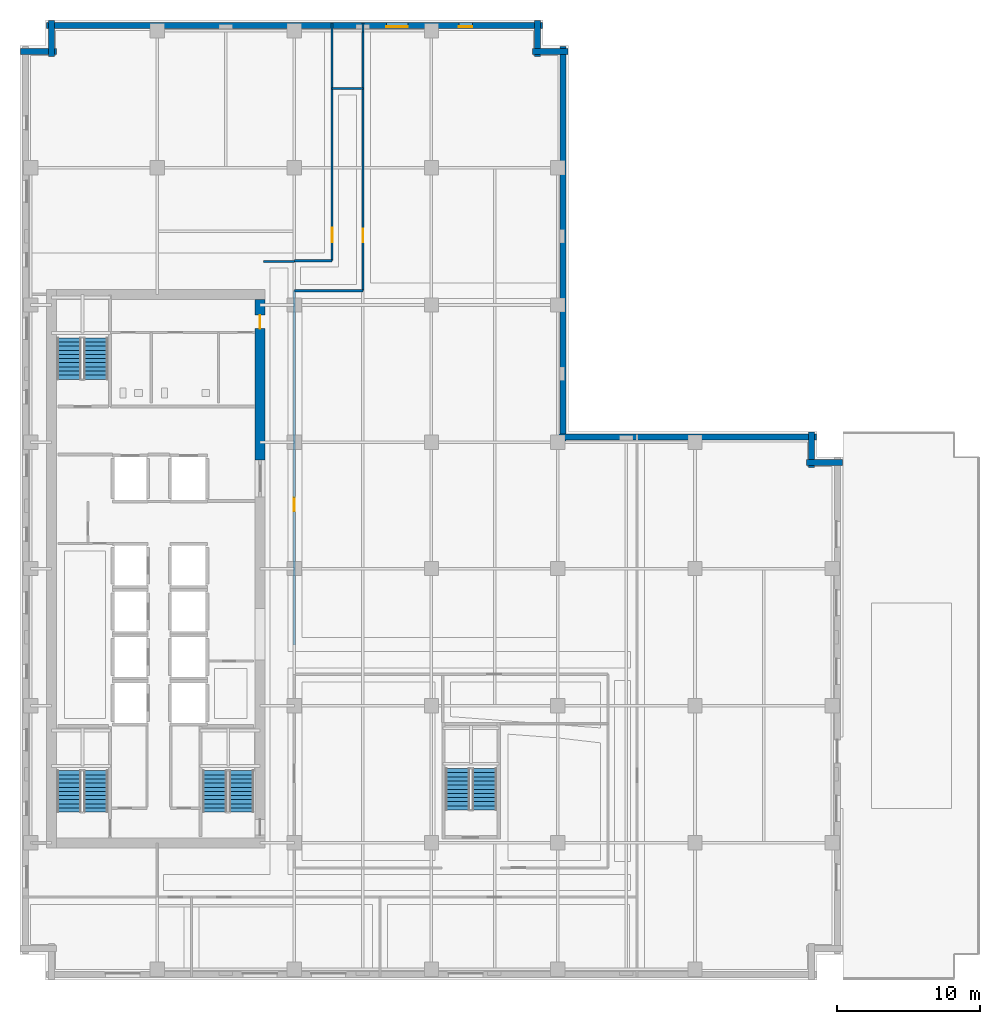
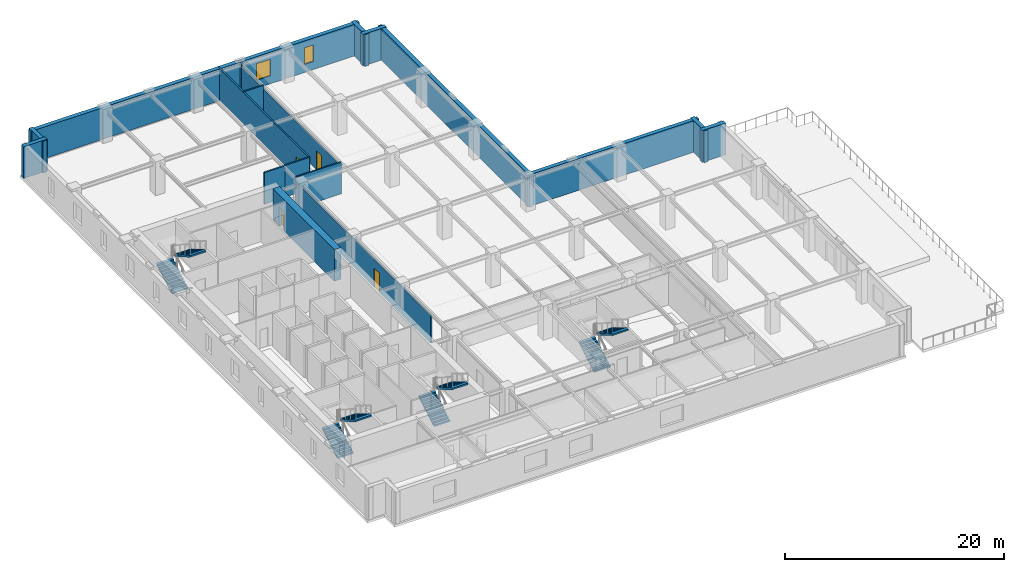
# One storey, part 7 of 12: 18 walls, 8 stair flights, 4 doors, 2 windows, 6 openings, 4 elements without a shape of their own.
"""IFC4 building model written with IfcOpenShell, lengths in metres."""

from ifc_helpers import new_model, si_unit, direction, frame, frame_2d, origin, place, context, subcontext, project, spatial, polyline, rectangle, outline, extrude, material, layer, layer_set, type_object, element, fill, aggregate, save


model = new_model("IFC4")

# Units and contexts
model_context = context("Model", 3, precision=1e-05, world=origin(), true_north=direction((0.0, 1.0)))
body_context = subcontext(model_context, "Body", "Model", "MODEL_VIEW")
ifc_project = project(units=[si_unit("LENGTHUNIT", "METRE"), si_unit("AREAUNIT", "SQUARE_METRE"), si_unit("VOLUMEUNIT", "CUBIC_METRE"), si_unit("PLANEANGLEUNIT", "RADIAN"), si_unit("MASSUNIT", "GRAM", prefix="KILO")], contexts=[model_context])

# Site, building, storey
site_placement = place(None, origin())
site = spatial("IfcSite", under=ifc_project, at=site_placement, CompositionType="ELEMENT")
building_placement = place(site_placement, origin())
building = spatial("IfcBuilding", under=site, at=building_placement, Name="Norrvale University Quadrangle", CompositionType="ELEMENT")
storey_placement = place(building_placement, frame((0.0, 0.0, 101.39990234375)))
storey = spatial("IfcBuildingStorey", under=building, at=storey_placement, Name="L25", CompositionType="ELEMENT", Elevation=101.39990234375)

# Walls
ifc_material_1 = material(Name="Buff Norman Clay Brick Masonry", Category="masonry")
ifc_layer_1 = layer(ifc_material_1, 0.419921875, Name="Buff Norman Clay Brick Masonry")
ifc_layer_set_1 = layer_set([ifc_layer_1], Name="Buff Norman Clay Brick Masonry")
wall_type_1 = type_object("IfcWallType", Name="Wall Buff Brick 420", PredefinedType="SOLIDWALL", material=ifc_layer_set_1)
for number, where, z_axis, x_axis, name in (
    (1, (57.56005859375, 36.2099609375, 0.0), (0.0, 0.0, 1.0), (-1.0, 0.0, 0.0), "Exterior Brick Facade Wall L25-05.1"),
    (2, (55.409912109375, 35.860107421875, 0.0), (0.0, 0.0, 1.0), (0.0, 1.0, 0.0), "Exterior Brick Facade Wall L25-06.1"),
):
    element("IfcWall", number, at=place(storey_placement, frame(where, z_axis=z_axis, x_axis=x_axis)), inside=storey, type_object=wall_type_1, Name=name, PredefinedType="SOLIDWALL", context=body_context, shape_type="SweptSolid", body=[
        extrude(rectangle(XDim=2.5, YDim=0.419921875, at=frame_2d((1.25, 0.0))), origin(), (0.0, 0.0, 1.0), 3.5400390625),
    ])
wall_1_placement = place(storey_placement, frame((55.760009765625, 38.010009765625, 0.0), z_axis=(0.0, 0.0, 1.0), x_axis=(-1.0, 0.0, 0.0)))
element("IfcWall", 3, at=wall_1_placement, inside=storey, type_object=wall_type_1, Name="Exterior Brick Facade Wall L25-07.1", PredefinedType="SOLIDWALL", context=body_context, shape_type="SweptSolid", body=[
    extrude(rectangle(XDim=18.10009765625, YDim=0.419921875, at=frame_2d((9.050048828125, 0.0))), origin(), (0.0, 0.0, 1.0), 3.5400390625),
])
wall_2_placement = place(storey_placement, frame((38.010009765625, 37.659912109375, 0.0), z_axis=(0.0, 0.0, 1.0), x_axis=(0.0, 1.0, 0.0)))
element("IfcWall", 4, at=wall_2_placement, inside=storey, type_object=wall_type_1, Name="Exterior Brick Facade Wall L25-08.1", PredefinedType="SOLIDWALL", context=body_context, shape_type="SweptSolid", body=[
    extrude(rectangle(XDim=27.7001953125, YDim=0.419921875, at=frame_2d((13.85009765625, 0.0))), origin(), (0.0, 0.0, 1.0), 3.5400390625),
])
for number, where, z_axis, x_axis, name in (
    (5, (38.360107421875, 65.010009765625, 0.0), (0.0, 0.0, 1.0), (-1.0, 0.0, 0.0), "Exterior Brick Facade Wall L25-09.1"),
    (6, (36.2099609375, 64.659912109375, 0.0), (0.0, 0.0, 1.0), (0.0, 1.0, 0.0), "Exterior Brick Facade Wall L25-10.1"),
):
    element("IfcWall", number, at=place(storey_placement, frame(where, z_axis=z_axis, x_axis=x_axis)), inside=storey, type_object=wall_type_1, Name=name, PredefinedType="SOLIDWALL", context=body_context, shape_type="SweptSolid", body=[
        extrude(rectangle(XDim=2.5, YDim=0.419921875, at=frame_2d((1.25, 0.0))), origin(), (0.0, 0.0, 1.0), 3.5400390625),
    ])

# Wall, openings, windows
wall_3_placement = place(storey_placement, frame((36.56005859375, 66.81005859375, 0.0), z_axis=(0.0, 0.0, 1.0), x_axis=(-1.0, 0.0, 0.0)))
wall_3 = element("IfcWall", 7, at=wall_3_placement, inside=storey, type_object=wall_type_1, Name="Exterior Brick Facade Wall L25-11.1", PredefinedType="SOLIDWALL", context=body_context, shape_type="SweptSolid", body=[
    extrude(rectangle(XDim=34.719970703125, YDim=0.419921875, at=frame_2d((17.35986328125, 0.0))), origin(), (0.0, 0.0, 1.0), 3.5400390625),
])
opening_1_placement = place(wall_3_placement, frame((4.885009765625, 0.0, 0.89990234375)))
opening_1 = element("IfcOpeningElement", 8, at=opening_1_placement, cuts=wall_3, Name="Opening W04", PredefinedType="OPENING", context=body_context, shape_type="SweptSolid", body=[
    extrude(rectangle(XDim=0.949951171875, YDim=1.85009765625, at=frame_2d((0.47509765625, 0.925048828125))), frame((0.0, 0.221923828125, 0.0), z_axis=(0.0, -1.0, 0.0), x_axis=(1.0, 0.0, 0.0)), (0.0, 0.0, 1.0), 0.44384765625),
])
opening_2_placement = place(wall_3_placement, frame((9.409912109375, 0.0, 0.89990234375)))
opening_2 = element("IfcOpeningElement", 9, at=opening_2_placement, cuts=wall_3, Name="Opening W03", PredefinedType="OPENING", context=body_context, shape_type="SweptSolid", body=[
    extrude(rectangle(XDim=1.5, YDim=1.85009765625, at=frame_2d((0.75, 0.925048828125))), frame((0.0, 0.221923828125, 0.0), z_axis=(0.0, -1.0, 0.0), x_axis=(1.0, 0.0, 0.0)), (0.0, 0.0, 1.0), 0.44384765625),
])
ifc_material_2 = material(Name="Triple Low-E Argon Glazing", Category="glass")
window_type_1 = type_object("IfcWindowType", Name="Window Narrow Pier 950x2300", PartitioningType="SINGLE_PANEL", PredefinedType="WINDOW", material=ifc_material_2)
window_1_placement = place(opening_1_placement, origin())
window_1 = element("IfcWindow", 10, at=window_1_placement, inside=storey, type_object=window_type_1, Name="Window Narrow Pier 950x2300 WIN-L25-E11-1-01", OverallHeight=1.85009765625, OverallWidth=0.949951171875, PartitioningType="SINGLE_PANEL", PredefinedType="WINDOW", context=body_context, shape_type="SweptSolid", body=[
    extrude(rectangle(XDim=0.949951171875, YDim=1.85009765625, at=frame_2d((0.47509765625, 0.925048828125))), frame((0.0, 0.110107421875, 0.0), z_axis=(0.0, -1.0, 0.0), x_axis=(1.0, 0.0, 0.0)), (0.0, 0.0, 1.0), 0.06005859375),
])
fill(opening_1, window_1)
window_type_2 = type_object("IfcWindowType", Name="Window Studio 1500x2300", PartitioningType="DOUBLE_PANEL_VERTICAL", PredefinedType="WINDOW", material=ifc_material_2)
window_2_placement = place(opening_2_placement, origin())
window_2 = element("IfcWindow", 11, at=window_2_placement, inside=storey, type_object=window_type_2, Name="Window Studio 1500x2300 WIN-L25-E11-1-02", OverallHeight=1.85009765625, OverallWidth=1.5, PartitioningType="DOUBLE_PANEL_VERTICAL", PredefinedType="WINDOW", context=body_context, shape_type="SweptSolid", body=[
    extrude(rectangle(XDim=1.5, YDim=1.85009765625, at=frame_2d((0.75, 0.925048828125))), frame((0.0, 0.110107421875, 0.0), z_axis=(0.0, -1.0, 0.0), x_axis=(1.0, 0.0, 0.0)), (0.0, 0.0, 1.0), 0.06005859375),
])
fill(opening_2, window_2)

# Walls
for number, where, z_axis, x_axis, name in (
    (12, (2.18994140625, 67.159912109375, 0.0), (0.0, 0.0, 1.0), (0.0, -1.0, 0.0), "Exterior Brick Facade Wall L25-12.1"),
    (13, (2.5400390625, 65.010009765625, 0.0), (0.0, 0.0, 1.0), (-1.0, 0.0, 0.0), "Exterior Brick Facade Wall L25-13.1"),
):
    element("IfcWall", number, at=place(storey_placement, frame(where, z_axis=z_axis, x_axis=x_axis)), inside=storey, type_object=wall_type_1, Name=name, PredefinedType="SOLIDWALL", context=body_context, shape_type="SweptSolid", body=[
        extrude(rectangle(XDim=2.5, YDim=0.419921875, at=frame_2d((1.25, 0.0))), origin(), (0.0, 0.0, 1.0), 3.5400390625),
    ])

# Wall, opening, door
ifc_material_3 = material(Name="Concrete C60/75", Category="concrete")
ifc_layer_2 = layer(ifc_material_3, 0.699951171875, Name="Concrete C60/75")
ifc_layer_set_2 = layer_set([ifc_layer_2], Name="Concrete C60/75")
wall_type_2 = type_object("IfcWallType", Name="Wall Core 700", PredefinedType="SHEAR", material=ifc_layer_set_2)
wall_4_placement = place(storey_placement, frame((16.800048828125, 36.39990234375, 0.0), z_axis=(0.0, 0.0, 1.0), x_axis=(0.0, 1.0, 0.0)))
wall_4 = element("IfcWall", 14, at=wall_4_placement, inside=storey, type_object=wall_type_2, Name="Tower Core Shear Wall L25-E3", PredefinedType="SHEAR", context=body_context, shape_type="SweptSolid", body=[
    extrude(rectangle(XDim=11.25, YDim=0.699951171875, at=frame_2d((5.625, 0.0))), origin(), (0.0, 0.0, 1.0), 3.5400390625),
])
opening_3_placement = place(wall_4_placement, frame((9.199951171875, 0.0, 0.0)))
opening_3 = element("IfcOpeningElement", 15, at=opening_3_placement, cuts=wall_4, Name="Opening D07", PredefinedType="OPENING", context=body_context, shape_type="SweptSolid", body=[
    extrude(rectangle(XDim=0.949951171875, YDim=2.14990234375, at=frame_2d((0.47509765625, 1.074951171875))), frame((0.0, 0.362060546875, 0.0), z_axis=(0.0, -1.0, 0.0), x_axis=(1.0, 0.0, 0.0)), (0.0, 0.0, 1.0), 0.723876953125),
])
ifc_material_4 = material(Name="Solid-Core Maple Door", Category="wood")
door_type_1 = type_object("IfcDoorType", Name="Door Office 950x2150", OperationType="NOTDEFINED", PredefinedType="DOOR", material=ifc_material_4)
door_1_placement = place(opening_3_placement, origin())
door_1 = element("IfcDoor", 16, at=door_1_placement, inside=storey, type_object=door_type_1, Name="Door Office 950x2150 DR-L25-NECORR", OperationType="SINGLE_SWING_RIGHT", OverallHeight=2.14990234375, OverallWidth=0.949951171875, PredefinedType="DOOR", context=body_context, shape_type="SweptSolid", body=[
    extrude(rectangle(XDim=0.949951171875, YDim=2.14990234375, at=frame_2d((0.47509765625, 1.074951171875))), frame((0.0, 0.02490234375, 0.0), z_axis=(0.0, -1.0, 0.0), x_axis=(1.0, 0.0, 0.0)), (0.0, 0.0, 1.0), 0.050048828125),
])
fill(opening_3, door_1)

# Wall
ifc_material_5 = material(Name="Fire-Rated Gypsum Stud Partition")
ifc_layer_3 = layer(ifc_material_5, 0.14990234375, Name="Fire-Rated Gypsum Stud Partition")
ifc_layer_set_3 = layer_set([ifc_layer_3], Name="Fire-Rated Gypsum Stud Partition")
wall_type_3 = type_object("IfcWallType", Name="Wall Gypsum Corridor 150", PredefinedType="PARTITIONING", material=ifc_layer_set_3)
wall_5_placement = place(storey_placement, frame((17.050048828125, 50.300048828125, 0.0), z_axis=(0.0, 0.0, 1.0), x_axis=(1.0, 0.0, 0.0)))
element("IfcWall", 17, at=wall_5_placement, inside=storey, type_object=wall_type_3, Name="Interior Partition WL-L25-CN-END", PredefinedType="PARTITIONING", context=body_context, shape_type="SweptSolid", body=[
    extrude(rectangle(XDim=2.14990234375, YDim=0.14990234375, at=frame_2d((1.074951171875, 0.0))), origin(), (0.0, 0.0, 1.0), 3.5400390625),
])

# Wall, opening, door
wall_6_placement = place(storey_placement, frame((19.199951171875, 23.449951171875, 0.0), z_axis=(0.0, 0.0, 1.0), x_axis=(0.0, 1.0, 0.0)))
wall_6 = element("IfcWall", 18, at=wall_6_placement, inside=storey, type_object=wall_type_3, Name="Interior Partition WL-L25-MNECW", PredefinedType="PARTITIONING", context=body_context, shape_type="SweptSolid", body=[
    extrude(rectangle(XDim=24.800048828125, YDim=0.14990234375, at=frame_2d((12.39990234375, 0.0))), origin(), (0.0, 0.0, 1.0), 3.123046875),
])
opening_4_placement = place(wall_6_placement, frame((9.35009765625, 0.0, 0.0)))
opening_4 = element("IfcOpeningElement", 19, at=opening_4_placement, cuts=wall_6, Name="Opening D07", PredefinedType="OPENING", context=body_context, shape_type="SweptSolid", body=[
    extrude(rectangle(XDim=0.949951171875, YDim=2.14990234375, at=frame_2d((0.47509765625, 1.074951171875))), frame((0.0, 0.0869140625, 0.0), z_axis=(0.0, -1.0, 0.0), x_axis=(1.0, 0.0, 0.0)), (0.0, 0.0, 1.0), 0.173828125),
])
door_2_placement = place(opening_4_placement, origin())
door_2 = element("IfcDoor", 20, at=door_2_placement, inside=storey, type_object=door_type_1, Name="Door Office 950x2150 DR-L25-MNE01", OperationType="SINGLE_SWING_RIGHT", OverallHeight=2.14990234375, OverallWidth=0.949951171875, PredefinedType="DOOR", context=body_context, shape_type="SweptSolid", body=[
    extrude(rectangle(XDim=0.949951171875, YDim=2.14990234375, at=frame_2d((0.47509765625, 1.074951171875))), frame((0.0, 0.02490234375, 0.0), z_axis=(0.0, -1.0, 0.0), x_axis=(1.0, 0.0, 0.0)), (0.0, 0.0, 1.0), 0.050048828125),
])
fill(opening_4, door_2)

# Walls
wall_7_placement = place(storey_placement, frame((19.199951171875, 48.25, 0.0), z_axis=(0.0, 0.0, 1.0), x_axis=(1.0, 0.0, 0.0)))
element("IfcWall", 21, at=wall_7_placement, inside=storey, type_object=wall_type_3, Name="Interior Partition WL-L25-JOGS", PredefinedType="PARTITIONING", context=body_context, shape_type="SweptSolid", body=[
    extrude(rectangle(XDim=4.800048828125, YDim=0.14990234375, at=frame_2d((2.39990234375, 0.0))), origin(), (0.0, 0.0, 1.0), 3.5400390625),
])
wall_8_placement = place(storey_placement, frame((19.199951171875, 50.35009765625, 0.0), z_axis=(0.0, 0.0, 1.0), x_axis=(1.0, 0.0, 0.0)))
element("IfcWall", 22, at=wall_8_placement, inside=storey, type_object=wall_type_3, Name="Interior Partition WL-L25-JOGN", PredefinedType="PARTITIONING", context=body_context, shape_type="SweptSolid", body=[
    extrude(rectangle(XDim=2.650146484375, YDim=0.14990234375, at=frame_2d((1.3251953125, 0.0))), origin(), (0.0, 0.0, 1.0), 3.5400390625),
])
wall_9_placement = place(storey_placement, frame((21.85009765625, 62.39990234375, 0.0), z_axis=(0.0, 0.0, 1.0), x_axis=(1.0, 0.0, 0.0)))
element("IfcWall", 23, at=wall_9_placement, inside=storey, type_object=wall_type_3, Name="Interior Partition WL-L25-JOGEND", PredefinedType="PARTITIONING", context=body_context, shape_type="SweptSolid", body=[
    extrude(rectangle(XDim=2.14990234375, YDim=0.14990234375, at=frame_2d((1.074951171875, 0.0))), origin(), (0.0, 0.0, 1.0), 3.5400390625),
])

# Wall, opening, door
wall_10_placement = place(storey_placement, frame((24.0, 48.25, 0.0), z_axis=(0.0, 0.0, 1.0), x_axis=(0.0, 1.0, 0.0)))
wall_10 = element("IfcWall", 24, at=wall_10_placement, inside=storey, type_object=wall_type_3, Name="Interior Partition WL-L25-NECW", PredefinedType="PARTITIONING", context=body_context, shape_type="SweptSolid", body=[
    extrude(rectangle(XDim=18.109619140625, YDim=0.14990234375, at=frame_2d((9.0546875, 0.0))), origin(), (0.0, 0.0, 1.0), 3.133056640625),
])
opening_5_placement = place(wall_10_placement, frame((3.39990234375, 0.0, 0.0)))
opening_5 = element("IfcOpeningElement", 25, at=opening_5_placement, cuts=wall_10, Name="Opening D07", PredefinedType="OPENING", context=body_context, shape_type="SweptSolid", body=[
    extrude(rectangle(XDim=0.949951171875, YDim=2.14990234375, at=frame_2d((0.47509765625, 1.074951171875))), frame((0.0, 0.0869140625, 0.0), z_axis=(0.0, -1.0, 0.0), x_axis=(1.0, 0.0, 0.0)), (0.0, 0.0, 1.0), 0.173828125),
])
door_3_placement = place(opening_5_placement, origin())
door_3 = element("IfcDoor", 26, at=door_3_placement, inside=storey, type_object=door_type_1, Name="Door Office 950x2150 DR-L25-NE01", OperationType="SINGLE_SWING_RIGHT", OverallHeight=2.14990234375, OverallWidth=0.949951171875, PredefinedType="DOOR", context=body_context, shape_type="SweptSolid", body=[
    extrude(rectangle(XDim=0.949951171875, YDim=2.14990234375, at=frame_2d((0.47509765625, 1.074951171875))), frame((0.0, 0.02490234375, 0.0), z_axis=(0.0, -1.0, 0.0), x_axis=(1.0, 0.0, 0.0)), (0.0, 0.0, 1.0), 0.050048828125),
])
fill(opening_5, door_3)

# Wall
wall_11_placement = place(storey_placement, frame((24.0, 66.359619140625, 0.0), z_axis=(0.0, 0.0, 1.0), x_axis=(0.0, 1.0, 0.0)))
element("IfcWall", 27, at=wall_11_placement, inside=storey, type_object=wall_type_3, Name="Interior Partition WL-L25-NECW-B2", PredefinedType="PARTITIONING", context=body_context, shape_type="SweptSolid", body=[
    extrude(rectangle(XDim=0.620361328125, YDim=0.14990234375, at=frame_2d((0.31005859375, 0.0))), origin(), (0.0, 0.0, 1.0), 3.5400390625),
])

# Wall, opening, door
wall_12_placement = place(storey_placement, frame((21.85009765625, 50.35009765625, 0.0), z_axis=(0.0, 0.0, 1.0), x_axis=(0.0, 1.0, 0.0)))
wall_12 = element("IfcWall", 28, at=wall_12_placement, inside=storey, type_object=wall_type_3, Name="Interior Partition WL-L25-NWCW", PredefinedType="PARTITIONING", context=body_context, shape_type="SweptSolid", body=[
    extrude(rectangle(XDim=16.6298828125, YDim=0.14990234375, at=frame_2d((8.31494140625, 0.0))), origin(), (0.0, 0.0, 1.0), 3.5400390625),
])
opening_6_placement = place(wall_12_placement, frame((1.300048828125, 0.0, 0.0)))
opening_6 = element("IfcOpeningElement", 29, at=opening_6_placement, cuts=wall_12, Name="Opening D04", PredefinedType="OPENING", context=body_context, shape_type="SweptSolid", body=[
    extrude(rectangle(XDim=1.0, YDim=2.199951171875, at=frame_2d((0.5, 1.10009765625))), frame((0.0, 0.0869140625, 0.0), z_axis=(0.0, -1.0, 0.0), x_axis=(1.0, 0.0, 0.0)), (0.0, 0.0, 1.0), 0.173828125),
])
ifc_material_6 = material(Name="Solid-Core Oak Fire Door", Category="wood")
door_type_2 = type_object("IfcDoorType", Name="Door Corridor 1000x2200", OperationType="NOTDEFINED", PredefinedType="DOOR", material=ifc_material_6)
door_4_placement = place(opening_6_placement, origin())
door_4 = element("IfcDoor", 30, at=door_4_placement, inside=storey, type_object=door_type_2, Name="Door Corridor 1000x2200 DR-L25-NW01", OperationType="SINGLE_SWING_RIGHT", OverallHeight=2.199951171875, OverallWidth=1.0, PredefinedType="DOOR", context=body_context, shape_type="SweptSolid", body=[
    extrude(rectangle(XDim=1.0, YDim=2.199951171875, at=frame_2d((0.5, 1.10009765625))), frame((0.0, 0.02490234375, 0.0), z_axis=(0.0, -1.0, 0.0), x_axis=(1.0, 0.0, 0.0)), (0.0, 0.0, 1.0), 0.050048828125),
])
fill(opening_6, door_4)

# Stair, stair flights
ifc_material_7 = material(Name="Concrete C40/50", Category="concrete")
stair_type = type_object("IfcStairType", Name="Stair Tower Typ 3800", PredefinedType="TWO_STRAIGHT_RUN_STAIR", material=ifc_material_7)
stair_1_placement = place(storey_placement, origin())
stair_1 = element("IfcStair", 31, at=stair_1_placement, inside=storey, type_object=stair_type, Name="Exit Stair ST-01 L25", PredefinedType="TWO_STRAIGHT_RUN_STAIR")
stair_flight_type = type_object("IfcStairFlightType", Name="Flight Typ 1500", PredefinedType="STRAIGHT", material=ifc_material_7)
stair_flight_1_placement = place(storey_placement, frame((3.429931640625, 11.75, 0.0), z_axis=(0.0, 0.0, 1.0), x_axis=(0.0, 1.0, 0.0)))
stair_flight_1 = element("IfcStairFlight", 32, at=stair_flight_1_placement, type_object=stair_flight_type, Name="Exit Stair ST-01 L25 Lower Flight", NumberOfRisers=11, NumberOfTreads=10, PredefinedType="STRAIGHT", RiserHeight=0.172727, TreadLength=0.29, context=body_context, shape_type="SweptSolid", body=[
    extrude(outline(polyline([(0.0, 0.0), (0.0, 0.172607421875), (0.2900390625, 0.172607421875), (0.2900390625, 0.345458984375), (0.580078125, 0.345458984375), (0.580078125, 0.51806640625), (0.8701171875, 0.51806640625), (0.8701171875, 0.69091796875), (1.159912109375, 0.69091796875), (1.159912109375, 0.863525390625), (1.449951171875, 0.863525390625), (1.449951171875, 1.036376953125), (1.739990234375, 1.036376953125), (1.739990234375, 1.208984375), (2.030029296875, 1.208984375), (2.030029296875, 1.3818359375), (2.320068359375, 1.3818359375), (2.320068359375, 1.554443359375), (2.610107421875, 1.554443359375), (2.610107421875, 1.727294921875), (2.89990234375, 1.727294921875), (2.89990234375, 1.89990234375), (2.89990234375, 1.552734375), (0.29296875, 0.0), (0.0, 0.0)])), frame((0.0, 0.83984375, 0.0), z_axis=(0.0, -1.0, 0.0), x_axis=(1.0, 0.0, 0.0)), (0.0, 0.0, 1.0), 1.679931640625),
])
stair_flight_2_placement = place(storey_placement, frame((5.320068359375, 14.64990234375, 1.900146484375), z_axis=(0.0, 0.0, 1.0), x_axis=(0.0, -1.0, 0.0)))
stair_flight_2 = element("IfcStairFlight", 33, at=stair_flight_2_placement, type_object=stair_flight_type, Name="Exit Stair ST-01 L25 Upper Flight", NumberOfRisers=11, NumberOfTreads=10, PredefinedType="STRAIGHT", RiserHeight=0.172727, TreadLength=0.29, context=body_context, shape_type="SweptSolid", body=[
    extrude(outline(polyline([(0.0, 0.0), (0.0, 0.172607421875), (0.2900390625, 0.172607421875), (0.2900390625, 0.345458984375), (0.580078125, 0.345458984375), (0.580078125, 0.51806640625), (0.8701171875, 0.51806640625), (0.8701171875, 0.69091796875), (1.159912109375, 0.69091796875), (1.159912109375, 0.863525390625), (1.449951171875, 0.863525390625), (1.449951171875, 1.036376953125), (1.739990234375, 1.036376953125), (1.739990234375, 1.208984375), (2.030029296875, 1.208984375), (2.030029296875, 1.3818359375), (2.320068359375, 1.3818359375), (2.320068359375, 1.554443359375), (2.610107421875, 1.554443359375), (2.610107421875, 1.727294921875), (2.89990234375, 1.727294921875), (2.89990234375, 1.89990234375), (2.89990234375, 1.552734375), (0.29296875, 0.0), (0.0, 0.0)])), frame((0.0, 0.83984375, 0.0), z_axis=(0.0, -1.0, 0.0), x_axis=(1.0, 0.0, 0.0)), (0.0, 0.0, 1.0), 1.679931640625),
])
aggregate(stair_1, [stair_flight_1, stair_flight_2])

stair_2_placement = place(storey_placement, origin())
stair_2 = element("IfcStair", 34, at=stair_2_placement, inside=storey, type_object=stair_type, Name="Exit Stair ST-02 L25", PredefinedType="TWO_STRAIGHT_RUN_STAIR")
stair_flight_3_placement = place(storey_placement, frame((3.429931640625, 42.050048828125, 0.0), z_axis=(0.0, 0.0, 1.0), x_axis=(0.0, 1.0, 0.0)))
stair_flight_3 = element("IfcStairFlight", 35, at=stair_flight_3_placement, type_object=stair_flight_type, Name="Exit Stair ST-02 L25 Lower Flight", NumberOfRisers=11, NumberOfTreads=10, PredefinedType="STRAIGHT", RiserHeight=0.172727, TreadLength=0.29, context=body_context, shape_type="SweptSolid", body=[
    extrude(outline(polyline([(0.0, 0.0), (0.0, 0.172607421875), (0.2900390625, 0.172607421875), (0.2900390625, 0.345458984375), (0.580078125, 0.345458984375), (0.580078125, 0.51806640625), (0.8701171875, 0.51806640625), (0.8701171875, 0.69091796875), (1.159912109375, 0.69091796875), (1.159912109375, 0.863525390625), (1.449951171875, 0.863525390625), (1.449951171875, 1.036376953125), (1.739990234375, 1.036376953125), (1.739990234375, 1.208984375), (2.030029296875, 1.208984375), (2.030029296875, 1.3818359375), (2.320068359375, 1.3818359375), (2.320068359375, 1.554443359375), (2.610107421875, 1.554443359375), (2.610107421875, 1.727294921875), (2.89990234375, 1.727294921875), (2.89990234375, 1.89990234375), (2.89990234375, 1.552734375), (0.29296875, 0.0), (0.0, 0.0)])), frame((0.0, 0.83984375, 0.0), z_axis=(0.0, -1.0, 0.0), x_axis=(1.0, 0.0, 0.0)), (0.0, 0.0, 1.0), 1.679931640625),
])
stair_flight_4_placement = place(storey_placement, frame((5.320068359375, 44.949951171875, 1.900146484375), z_axis=(0.0, 0.0, 1.0), x_axis=(0.0, -1.0, 0.0)))
stair_flight_4 = element("IfcStairFlight", 36, at=stair_flight_4_placement, type_object=stair_flight_type, Name="Exit Stair ST-02 L25 Upper Flight", NumberOfRisers=11, NumberOfTreads=10, PredefinedType="STRAIGHT", RiserHeight=0.172727, TreadLength=0.29, context=body_context, shape_type="SweptSolid", body=[
    extrude(outline(polyline([(0.0, 0.0), (0.0, 0.172607421875), (0.2900390625, 0.172607421875), (0.2900390625, 0.345458984375), (0.580078125, 0.345458984375), (0.580078125, 0.51806640625), (0.8701171875, 0.51806640625), (0.8701171875, 0.69091796875), (1.159912109375, 0.69091796875), (1.159912109375, 0.863525390625), (1.449951171875, 0.863525390625), (1.449951171875, 1.036376953125), (1.739990234375, 1.036376953125), (1.739990234375, 1.208984375), (2.030029296875, 1.208984375), (2.030029296875, 1.3818359375), (2.320068359375, 1.3818359375), (2.320068359375, 1.554443359375), (2.610107421875, 1.554443359375), (2.610107421875, 1.727294921875), (2.89990234375, 1.727294921875), (2.89990234375, 1.89990234375), (2.89990234375, 1.552734375), (0.29296875, 0.0), (0.0, 0.0)])), frame((0.0, 0.83984375, 0.0), z_axis=(0.0, -1.0, 0.0), x_axis=(1.0, 0.0, 0.0)), (0.0, 0.0, 1.0), 1.679931640625),
])
aggregate(stair_2, [stair_flight_3, stair_flight_4])

stair_3_placement = place(storey_placement, origin())
stair_3 = element("IfcStair", 37, at=stair_3_placement, inside=storey, type_object=stair_type, Name="Exit Stair ST-03 L25", PredefinedType="TWO_STRAIGHT_RUN_STAIR")
stair_flight_5_placement = place(storey_placement, frame((13.6298828125, 11.75, 0.0), z_axis=(0.0, 0.0, 1.0), x_axis=(0.0, 1.0, 0.0)))
stair_flight_5 = element("IfcStairFlight", 38, at=stair_flight_5_placement, type_object=stair_flight_type, Name="Exit Stair ST-03 L25 Lower Flight", NumberOfRisers=11, NumberOfTreads=10, PredefinedType="STRAIGHT", RiserHeight=0.172727, TreadLength=0.29, context=body_context, shape_type="SweptSolid", body=[
    extrude(outline(polyline([(0.0, 0.0), (0.0, 0.172607421875), (0.2900390625, 0.172607421875), (0.2900390625, 0.345458984375), (0.580078125, 0.345458984375), (0.580078125, 0.51806640625), (0.8701171875, 0.51806640625), (0.8701171875, 0.69091796875), (1.159912109375, 0.69091796875), (1.159912109375, 0.863525390625), (1.449951171875, 0.863525390625), (1.449951171875, 1.036376953125), (1.739990234375, 1.036376953125), (1.739990234375, 1.208984375), (2.030029296875, 1.208984375), (2.030029296875, 1.3818359375), (2.320068359375, 1.3818359375), (2.320068359375, 1.554443359375), (2.610107421875, 1.554443359375), (2.610107421875, 1.727294921875), (2.89990234375, 1.727294921875), (2.89990234375, 1.89990234375), (2.89990234375, 1.552734375), (0.29296875, 0.0), (0.0, 0.0)])), frame((0.0, 0.83984375, 0.0), z_axis=(0.0, -1.0, 0.0), x_axis=(1.0, 0.0, 0.0)), (0.0, 0.0, 1.0), 1.679931640625),
])
stair_flight_6_placement = place(storey_placement, frame((15.52001953125, 14.64990234375, 1.900146484375), z_axis=(0.0, 0.0, 1.0), x_axis=(0.0, -1.0, 0.0)))
stair_flight_6 = element("IfcStairFlight", 39, at=stair_flight_6_placement, type_object=stair_flight_type, Name="Exit Stair ST-03 L25 Upper Flight", NumberOfRisers=11, NumberOfTreads=10, PredefinedType="STRAIGHT", RiserHeight=0.172727, TreadLength=0.29, context=body_context, shape_type="SweptSolid", body=[
    extrude(outline(polyline([(0.0, 0.0), (0.0, 0.172607421875), (0.2900390625, 0.172607421875), (0.2900390625, 0.345458984375), (0.580078125, 0.345458984375), (0.580078125, 0.51806640625), (0.8701171875, 0.51806640625), (0.8701171875, 0.69091796875), (1.159912109375, 0.69091796875), (1.159912109375, 0.863525390625), (1.449951171875, 0.863525390625), (1.449951171875, 1.036376953125), (1.739990234375, 1.036376953125), (1.739990234375, 1.208984375), (2.030029296875, 1.208984375), (2.030029296875, 1.3818359375), (2.320068359375, 1.3818359375), (2.320068359375, 1.554443359375), (2.610107421875, 1.554443359375), (2.610107421875, 1.727294921875), (2.89990234375, 1.727294921875), (2.89990234375, 1.89990234375), (2.89990234375, 1.552734375), (0.29296875, 0.0), (0.0, 0.0)])), frame((0.0, 0.83984375, 0.0), z_axis=(0.0, -1.0, 0.0), x_axis=(1.0, 0.0, 0.0)), (0.0, 0.0, 1.0), 1.679931640625),
])
aggregate(stair_3, [stair_flight_5, stair_flight_6])

stair_4_placement = place(storey_placement, origin())
stair_4 = element("IfcStair", 40, at=stair_4_placement, inside=storey, type_object=stair_type, Name="Exit Stair ST-04 L25", PredefinedType="TWO_STRAIGHT_RUN_STAIR")
stair_flight_7_placement = place(storey_placement, frame((30.6298828125, 11.89990234375, 0.0), z_axis=(0.0, 0.0, 1.0), x_axis=(0.0, 1.0, 0.0)))
stair_flight_7 = element("IfcStairFlight", 41, at=stair_flight_7_placement, type_object=stair_flight_type, Name="Exit Stair ST-04 L25 Lower Flight", NumberOfRisers=11, NumberOfTreads=10, PredefinedType="STRAIGHT", RiserHeight=0.172727, TreadLength=0.29, context=body_context, shape_type="SweptSolid", body=[
    extrude(outline(polyline([(0.0, 0.0), (0.0, 0.172607421875), (0.2900390625, 0.172607421875), (0.2900390625, 0.345458984375), (0.580078125, 0.345458984375), (0.580078125, 0.51806640625), (0.8701171875, 0.51806640625), (0.8701171875, 0.69091796875), (1.159912109375, 0.69091796875), (1.159912109375, 0.863525390625), (1.449951171875, 0.863525390625), (1.449951171875, 1.036376953125), (1.739990234375, 1.036376953125), (1.739990234375, 1.208984375), (2.030029296875, 1.208984375), (2.030029296875, 1.3818359375), (2.320068359375, 1.3818359375), (2.320068359375, 1.554443359375), (2.610107421875, 1.554443359375), (2.610107421875, 1.727294921875), (2.89990234375, 1.727294921875), (2.89990234375, 1.89990234375), (2.89990234375, 1.552734375), (0.29296875, 0.0), (0.0, 0.0)])), frame((0.0, 0.83984375, 0.0), z_axis=(0.0, -1.0, 0.0), x_axis=(1.0, 0.0, 0.0)), (0.0, 0.0, 1.0), 1.679931640625),
])
stair_flight_8_placement = place(storey_placement, frame((32.52001953125, 14.800048828125, 1.900146484375), z_axis=(0.0, 0.0, 1.0), x_axis=(0.0, -1.0, 0.0)))
stair_flight_8 = element("IfcStairFlight", 42, at=stair_flight_8_placement, type_object=stair_flight_type, Name="Exit Stair ST-04 L25 Upper Flight", NumberOfRisers=11, NumberOfTreads=10, PredefinedType="STRAIGHT", RiserHeight=0.172727, TreadLength=0.29, context=body_context, shape_type="SweptSolid", body=[
    extrude(outline(polyline([(0.0, 0.0), (0.0, 0.172607421875), (0.2900390625, 0.172607421875), (0.2900390625, 0.345458984375), (0.580078125, 0.345458984375), (0.580078125, 0.51806640625), (0.8701171875, 0.51806640625), (0.8701171875, 0.69091796875), (1.159912109375, 0.69091796875), (1.159912109375, 0.863525390625), (1.449951171875, 0.863525390625), (1.449951171875, 1.036376953125), (1.739990234375, 1.036376953125), (1.739990234375, 1.208984375), (2.030029296875, 1.208984375), (2.030029296875, 1.3818359375), (2.320068359375, 1.3818359375), (2.320068359375, 1.554443359375), (2.610107421875, 1.554443359375), (2.610107421875, 1.727294921875), (2.89990234375, 1.727294921875), (2.89990234375, 1.89990234375), (2.89990234375, 1.552734375), (0.29296875, 0.0), (0.0, 0.0)])), frame((0.0, 0.83984375, 0.0), z_axis=(0.0, -1.0, 0.0), x_axis=(1.0, 0.0, 0.0)), (0.0, 0.0, 1.0), 1.679931640625),
])
aggregate(stair_4, [stair_flight_7, stair_flight_8])

save(model, "model.ifc")
